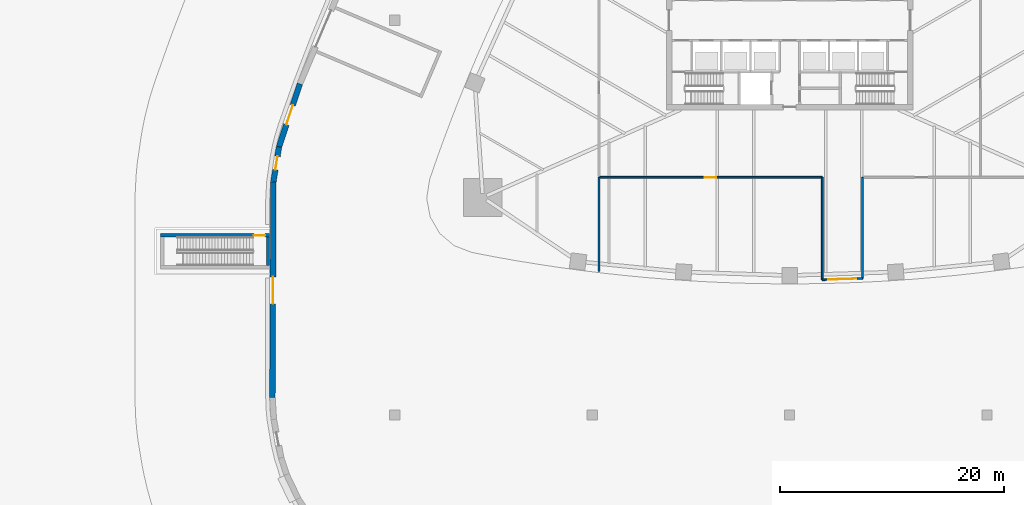
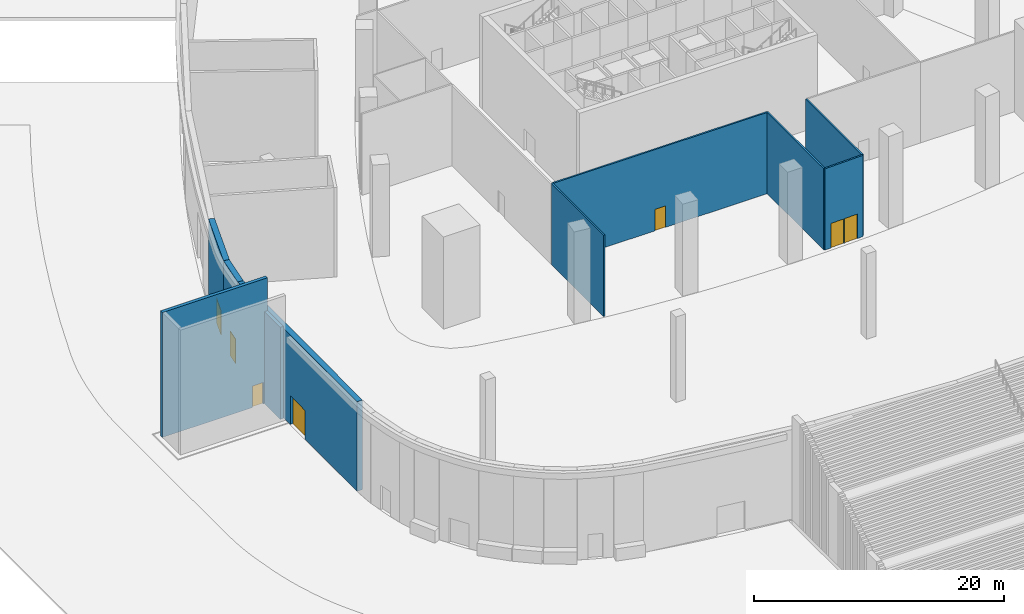
# One storey, part 6 of 29: 10 walls, 7 doors, 7 openings.
"""IFC4 building model written with IfcOpenShell, lengths in metres."""

from ifc_helpers import new_model, si_unit, direction, frame, frame_2d, origin, place, context, subcontext, project, spatial, rectangle, extrude, material, layer, layer_set, type_object, element, fill, save


model = new_model("IFC4")

# Units and contexts
model_context = context("Model", 3, precision=1e-05, world=origin(), true_north=direction((0.0, 1.0)))
body_context = subcontext(model_context, "Body", "Model", "MODEL_VIEW")
ifc_project = project(units=[si_unit("LENGTHUNIT", "METRE"), si_unit("AREAUNIT", "SQUARE_METRE"), si_unit("VOLUMEUNIT", "CUBIC_METRE"), si_unit("PLANEANGLEUNIT", "RADIAN"), si_unit("MASSUNIT", "GRAM", prefix="KILO")], contexts=[model_context])

# Site, building, storey
site_placement = place(None, origin())
site = spatial("IfcSite", under=ifc_project, at=site_placement, CompositionType="ELEMENT")
building_placement = place(site_placement, origin())
building = spatial("IfcBuilding", under=site, at=building_placement, Name="Sierra Prisma Convention Tower", CompositionType="ELEMENT")
storey_placement = place(building_placement, origin())
storey = spatial("IfcBuildingStorey", under=building, at=storey_placement, Name="L00", CompositionType="ELEMENT", Elevation=0.0)

# Wall, opening, door
ifc_material_1 = material(Name="Gypsum board partition", Category="gypsum")
ifc_layer_1 = layer(ifc_material_1, 0.14990234375)
ifc_layer_set_1 = layer_set([ifc_layer_1], Name="Corridor wall 150 gypsum EI 60")
wall_type_1 = type_object("IfcWallType", Name="Corridor wall 150 gypsum EI 60", PredefinedType="PARTITIONING", material=ifc_layer_set_1)
wall_1_placement = place(storey_placement, frame((-16.919921875, -14.0, 0.0), z_axis=(0.0, 0.0, 1.0), x_axis=(1.0, 0.0, 0.0)))
wall_1 = element("IfcWall", 1, at=wall_1_placement, inside=storey, type_object=wall_type_1, Name="Partition L00 corr 2", PredefinedType="PARTITIONING", context=body_context, shape_type="SweptSolid", body=[
    extrude(rectangle(XDim=19.81982421875, YDim=0.14990234375, at=frame_2d((9.909912109375, 0.0))), origin(), (0.0, 0.0, 1.0), 7.93994140625),
])
opening_1_placement = place(wall_1_placement, frame((9.3701171875, 0.0, 0.0)))
opening_1 = element("IfcOpeningElement", 2, at=opening_1_placement, cuts=wall_1, Name="Opening L00-D033", PredefinedType="OPENING", context=body_context, shape_type="SweptSolid", body=[
    extrude(rectangle(XDim=1.0, YDim=2.10009765625, at=frame_2d((0.5, 1.050048828125))), frame((0.0, 0.074951171875, 0.0), z_axis=(0.0, -1.0, 0.0), x_axis=(1.0, 0.0, 0.0)), (0.0, 0.0, 1.0), 0.14990234375),
])
ifc_material_2 = material(Name="Steel fire door leaf", Category="steel")
door_type_1 = type_object("IfcDoorType", Name="Door 1000x2100 FD30S", OperationType="SINGLE_SWING_LEFT", PredefinedType="DOOR", material=ifc_material_2)
door_1_placement = place(opening_1_placement, origin())
door_1 = element("IfcDoor", 3, at=door_1_placement, inside=storey, type_object=door_type_1, Name="Door L00 8", OperationType="SINGLE_SWING_RIGHT", OverallHeight=2.10009765625, OverallWidth=1.0, PredefinedType="DOOR", context=body_context, shape_type="SweptSolid", body=[
    extrude(rectangle(XDim=1.0, YDim=2.10009765625, at=frame_2d((0.5, 1.050048828125))), frame((0.0, 0.02490234375, 0.0), z_axis=(0.0, -1.0, 0.0), x_axis=(1.0, 0.0, 0.0)), (0.0, 0.0, 1.0), 0.050048828125),
])
fill(opening_1, door_1)

# Wall
wall_2_placement = place(storey_placement, frame((2.89990234375, -14.0, 0.0), z_axis=(0.0, 0.0, 1.0), x_axis=(0.0, -1.0, 0.0)))
element("IfcWall", 4, at=wall_2_placement, inside=storey, type_object=wall_type_1, Name="Partition L00 corr 3", PredefinedType="PARTITIONING", context=body_context, shape_type="SweptSolid", body=[
    extrude(rectangle(XDim=9.130615234375, YDim=0.14990234375, at=frame_2d((4.5654296875, 0.0))), origin(), (0.0, 0.0, 1.0), 7.93994140625),
])

# Wall, openings, doors
wall_3_placement = place(storey_placement, frame((6.5, -23.011474609375, 0.0), z_axis=(0.0, 0.0, 1.0), x_axis=(-0.999452852221, -0.033075613175, 0.0)))
wall_3 = element("IfcWall", 5, at=wall_3_placement, inside=storey, type_object=wall_type_1, Name="Partition L00 corr 5", PredefinedType="PARTITIONING", context=body_context, shape_type="SweptSolid", body=[
    extrude(rectangle(XDim=3.60205078125, YDim=0.14990234375, at=frame_2d((1.801025390625, 0.0))), origin(), (0.0, 0.0, 1.0), 7.93994140625),
])
opening_2_placement = place(wall_3_placement, frame((0.551025390625, 0.0, 0.0)))
opening_2 = element("IfcOpeningElement", 6, at=opening_2_placement, cuts=wall_3, Name="Opening L00-D036", PredefinedType="OPENING", context=body_context, shape_type="SweptSolid", body=[
    extrude(rectangle(XDim=1.199951171875, YDim=2.39990234375, at=frame_2d((0.60009765625, 1.199951171875))), frame((0.0, 0.074951171875, 0.0), z_axis=(0.0, -1.0, 0.0), x_axis=(1.0, 0.0, 0.0)), (0.0, 0.0, 1.0), 0.14990234375),
])
opening_3_placement = place(wall_3_placement, frame((1.850830078125, 0.0, 0.0)))
opening_3 = element("IfcOpeningElement", 7, at=opening_3_placement, cuts=wall_3, Name="Opening L00-D037", PredefinedType="OPENING", context=body_context, shape_type="SweptSolid", body=[
    extrude(rectangle(XDim=1.199951171875, YDim=2.39990234375, at=frame_2d((0.60009765625, 1.199951171875))), frame((0.0, 0.074951171875, 0.0), z_axis=(0.0, -1.0, 0.0), x_axis=(1.0, 0.0, 0.0)), (0.0, 0.0, 1.0), 0.14990234375),
])
ifc_material_3 = material(Name="Painted steel, fire resisting", Category="steel")
door_type_2 = type_object("IfcDoorType", Name="Pedestrian exit door 1200 x 2400", OperationType="SINGLE_SWING_LEFT", PredefinedType="DOOR", material=ifc_material_3)
door_2_placement = place(opening_2_placement, origin())
door_2 = element("IfcDoor", 8, at=door_2_placement, inside=storey, type_object=door_type_2, Name="Exit door of the tower lobby L00 11", OperationType="SINGLE_SWING_LEFT", OverallHeight=2.39990234375, OverallWidth=1.199951171875, PredefinedType="DOOR", context=body_context, shape_type="SweptSolid", body=[
    extrude(rectangle(XDim=1.199951171875, YDim=2.39990234375, at=frame_2d((0.60009765625, 1.199951171875))), frame((0.0, 0.02490234375, 0.0), z_axis=(0.0, -1.0, 0.0), x_axis=(1.0, 0.0, 0.0)), (0.0, 0.0, 1.0), 0.050048828125),
])
fill(opening_2, door_2)
door_3_placement = place(opening_3_placement, origin())
door_3 = element("IfcDoor", 9, at=door_3_placement, inside=storey, type_object=door_type_2, Name="Exit door of the tower lobby L00 12", OperationType="SINGLE_SWING_LEFT", OverallHeight=2.39990234375, OverallWidth=1.199951171875, PredefinedType="DOOR", context=body_context, shape_type="SweptSolid", body=[
    extrude(rectangle(XDim=1.199951171875, YDim=2.39990234375, at=frame_2d((0.60009765625, 1.199951171875))), frame((0.0, 0.02490234375, 0.0), z_axis=(0.0, -1.0, 0.0), x_axis=(1.0, 0.0, 0.0)), (0.0, 0.0, 1.0), 0.050048828125),
])
fill(opening_3, door_3)

# Wall
wall_4_placement = place(storey_placement, frame((6.5, -22.991455078125, 0.0), z_axis=(0.0, 0.0, 1.0), x_axis=(0.0, 1.0, 0.0)))
element("IfcWall", 10, at=wall_4_placement, inside=storey, type_object=wall_type_1, Name="Partition L00 corr 8", PredefinedType="PARTITIONING", context=body_context, shape_type="SweptSolid", body=[
    extrude(rectangle(XDim=8.991455078125, YDim=0.14990234375, at=frame_2d((4.49560546875, 0.0))), origin(), (0.0, 0.0, 1.0), 7.93994140625),
])

# Wall, opening, door
ifc_material_4 = material(Name="Concrete C35/45", Category="concrete")
ifc_layer_2 = layer(ifc_material_4, 0.300048828125)
ifc_layer_set_2 = layer_set([ifc_layer_2], Name="Exit stair enclosure wall 300")
wall_type_2 = type_object("IfcWallType", Name="Exit stair enclosure wall 300", PredefinedType="STANDARD", material=ifc_layer_set_2)
wall_5_placement = place(storey_placement, frame((-56.07470703125, -19.175048828125, 0.0), z_axis=(0.0, 0.0, 1.0), x_axis=(1.0, 0.0, 0.0)))
wall_5 = element("IfcWall", 11, at=wall_5_placement, inside=storey, type_object=wall_type_2, Name="Exit stair west north wall", PredefinedType="STANDARD", context=body_context, shape_type="SweptSolid", body=[
    extrude(rectangle(XDim=9.72021484375, YDim=0.300048828125, at=frame_2d((4.860107421875, 0.0))), origin(), (0.0, 0.0, 1.0), 12.199951171875),
])
opening_4_placement = place(wall_5_placement, frame((8.320068359375, 0.0, 0.0)))
opening_4 = element("IfcOpeningElement", 12, at=opening_4_placement, cuts=wall_5, Name="Opening L00-D045", PredefinedType="OPENING", context=body_context, shape_type="SweptSolid", body=[
    extrude(rectangle(XDim=1.0, YDim=2.10009765625, at=frame_2d((0.5, 1.050048828125))), frame((0.0, 0.14990234375, 0.0), z_axis=(0.0, -1.0, 0.0), x_axis=(1.0, 0.0, 0.0)), (0.0, 0.0, 1.0), 0.300048828125),
])
ifc_material_5 = material(Name="Painted steel, fire resisting", Category="steel")
door_type_3 = type_object("IfcDoorType", Name="Exit stair door 1000 x 2100 FD90S", OperationType="SINGLE_SWING_LEFT", PredefinedType="DOOR", material=ifc_material_5)
door_4_placement = place(opening_4_placement, origin())
door_4 = element("IfcDoor", 13, at=door_4_placement, inside=storey, type_object=door_type_3, Name="Pedestrian exit door of the west exit stair", OperationType="SINGLE_SWING_LEFT", OverallHeight=2.10009765625, OverallWidth=1.0, PredefinedType="DOOR", context=body_context, shape_type="SweptSolid", body=[
    extrude(rectangle(XDim=1.0, YDim=2.10009765625, at=frame_2d((0.5, 1.050048828125))), frame((0.0, 0.02490234375, 0.0), z_axis=(0.0, -1.0, 0.0), x_axis=(1.0, 0.0, 0.0)), (0.0, 0.0, 1.0), 0.050048828125),
])
fill(opening_4, door_4)

# Wall
wall_6_placement = place(storey_placement, frame((-46.504638671875, -21.875, 0.0), z_axis=(0.0, 0.0, 1.0), x_axis=(0.0, 1.0, 0.0)))
element("IfcWall", 14, at=wall_6_placement, inside=storey, type_object=wall_type_2, Name="Exit stair west near wall below the deck", PredefinedType="STANDARD", context=body_context, shape_type="SweptSolid", body=[
    extrude(rectangle(XDim=2.550048828125, YDim=0.300048828125, at=frame_2d((1.27490234375, 0.0))), origin(), (0.0, 0.0, 1.0), 9.0),
])

# Wall, opening, door
ifc_material_6 = material(Name="Concrete C40/50, ochre plaster finish", Category="concrete")
ifc_layer_3 = layer(ifc_material_6, 0.5)
ifc_layer_set_3 = layer_set([ifc_layer_3], Name="Ochre plastered wall 500")
wall_type_3 = type_object("IfcWallType", Name="Ochre plastered wall 500", PredefinedType="STANDARD", material=ifc_layer_set_3)
wall_7_placement = place(storey_placement, frame((-46.01708984375, -14.404296875, 0.0), z_axis=(0.0, 0.0, 1.0), x_axis=(0.158065865137, 0.987428570722, 0.0)))
wall_7 = element("IfcWall", 15, at=wall_7_placement, inside=storey, type_object=wall_type_3, Name="Plinth wall 46", PredefinedType="STANDARD", context=body_context, shape_type="SweptSolid", body=[
    extrude(rectangle(XDim=3.15869140625, YDim=0.5, at=frame_2d((1.579345703125, 0.0))), origin(), (0.0, 0.0, 1.0), 8.75),
])
opening_5_placement = place(wall_7_placement, frame((1.10009765625, 0.0, 0.0)))
opening_5 = element("IfcOpeningElement", 16, at=opening_5_placement, cuts=wall_7, Name="Opening L00-D064", PredefinedType="OPENING", context=body_context, shape_type="SweptSolid", body=[
    extrude(rectangle(XDim=1.199951171875, YDim=2.39990234375, at=frame_2d((0.60009765625, 1.199951171875))), frame((0.0, 0.25, 0.0), z_axis=(0.0, -1.0, 0.0), x_axis=(1.0, 0.0, 0.0)), (0.0, 0.0, 1.0), 0.5),
])
door_5_placement = place(opening_5_placement, origin())
door_5 = element("IfcDoor", 17, at=door_5_placement, inside=storey, type_object=door_type_2, Name="Pedestrian exit door", OperationType="SINGLE_SWING_RIGHT", OverallHeight=2.39990234375, OverallWidth=1.199951171875, PredefinedType="DOOR", context=body_context, shape_type="SweptSolid", body=[
    extrude(rectangle(XDim=1.199951171875, YDim=2.39990234375, at=frame_2d((0.60009765625, 1.199951171875))), frame((0.0, 0.02490234375, 0.0), z_axis=(0.0, -1.0, 0.0), x_axis=(1.0, 0.0, 0.0)), (0.0, 0.0, 1.0), 0.050048828125),
])
fill(opening_5, door_5)

# Wall
ifc_material_7 = material(Name="Gypsum board partition", Category="gypsum")
ifc_layer_4 = layer(ifc_material_7, 0.14990234375)
ifc_layer_set_4 = layer_set([ifc_layer_4], Name="Party wall 150 gypsum")
wall_type_4 = type_object("IfcWallType", Name="Party wall 150 gypsum", PredefinedType="PARTITIONING", material=ifc_layer_set_4)
wall_8_placement = place(storey_placement, frame((-17.0, -14.0, 0.0), z_axis=(0.0, 0.0, 1.0), x_axis=(0.0, -1.0, 0.0)))
element("IfcWall", 18, at=wall_8_placement, inside=storey, type_object=wall_type_4, Name="Partition L00 party 3", PredefinedType="PARTITIONING", context=body_context, shape_type="SweptSolid", body=[
    extrude(rectangle(XDim=8.37451171875, YDim=0.14990234375, at=frame_2d((4.187255859375, 0.0))), origin(), (0.0, 0.0, 1.0), 7.93994140625),
])

# Wall, opening, door
ifc_material_8 = material(Name="Concrete C40/50, rose plaster finish", Category="concrete")
ifc_layer_5 = layer(ifc_material_8, 0.5)
ifc_layer_set_5 = layer_set([ifc_layer_5], Name="Rose plastered wall 500")
wall_type_5 = type_object("IfcWallType", Name="Rose plastered wall 500", PredefinedType="STANDARD", material=ifc_layer_set_5)
wall_9_placement = place(storey_placement, frame((-45.517822265625, -11.285400390625, 0.0), z_axis=(0.0, 0.0, 1.0), x_axis=(0.314186061752, 0.94936142675, 0.0)))
wall_9 = element("IfcWall", 19, at=wall_9_placement, inside=storey, type_object=wall_type_5, Name="Plinth wall 45", PredefinedType="STANDARD", context=body_context, shape_type="SweptSolid", body=[
    extrude(rectangle(XDim=5.921142578125, YDim=0.5, at=frame_2d((2.96044921875, 0.0))), origin(), (0.0, 0.0, 1.0), 8.75),
])
opening_6_placement = place(wall_9_placement, frame((2.10009765625, 0.0, 0.0)))
opening_6 = element("IfcOpeningElement", 20, at=opening_6_placement, cuts=wall_9, Name="Opening L00-D053", PredefinedType="OPENING", context=body_context, shape_type="SweptSolid", body=[
    extrude(rectangle(XDim=1.800048828125, YDim=2.39990234375, at=frame_2d((0.89990234375, 1.199951171875))), frame((0.0, 0.25, 0.0), z_axis=(0.0, -1.0, 0.0), x_axis=(1.0, 0.0, 0.0)), (0.0, 0.0, 1.0), 0.5),
])
ifc_material_9 = material(Name="Painted steel, fire resisting", Category="steel")
door_type_4 = type_object("IfcDoorType", Name="Exit door double 1800 x 2400", OperationType="DOUBLE_DOOR_SINGLE_SWING", PredefinedType="DOOR", material=ifc_material_9)
door_6_placement = place(opening_6_placement, origin())
door_6 = element("IfcDoor", 21, at=door_6_placement, inside=storey, type_object=door_type_4, Name="Pedestrian exit door", OperationType="DOUBLE_DOOR_SINGLE_SWING", OverallHeight=2.39990234375, OverallWidth=1.800048828125, PredefinedType="DOOR", context=body_context, shape_type="SweptSolid", body=[
    extrude(rectangle(XDim=1.800048828125, YDim=2.39990234375, at=frame_2d((0.89990234375, 1.199951171875))), frame((0.0, 0.02490234375, 0.0), z_axis=(0.0, -1.0, 0.0), x_axis=(1.0, 0.0, 0.0)), (0.0, 0.0, 1.0), 0.050048828125),
])
fill(opening_6, door_6)

wall_10_placement = place(storey_placement, frame((-46.1044921875, -33.62744140625, 0.0), z_axis=(0.0, 0.0, 1.0), x_axis=(0.004546677584, 0.999989663808, 0.0)))
wall_10 = element("IfcWall", 22, at=wall_10_placement, inside=storey, type_object=wall_type_5, Name="Plinth wall 47", PredefinedType="STANDARD", context=body_context, shape_type="SweptSolid", body=[
    extrude(rectangle(XDim=19.223388671875, YDim=0.5, at=frame_2d((9.61181640625, 0.0))), origin(), (0.0, 0.0, 1.0), 8.75),
])
opening_7_placement = place(wall_10_placement, frame((8.35009765625, 0.0, 0.0)))
opening_7 = element("IfcOpeningElement", 23, at=opening_7_placement, cuts=wall_10, Name="Opening L00-D044", PredefinedType="OPENING", context=body_context, shape_type="SweptSolid", body=[
    extrude(rectangle(XDim=2.39990234375, YDim=2.800048828125, at=frame_2d((1.199951171875, 1.39990234375))), frame((0.0, 0.25, 0.0), z_axis=(0.0, -1.0, 0.0), x_axis=(1.0, 0.0, 0.0)), (0.0, 0.0, 1.0), 0.5),
])
ifc_material_10 = material(Name="Glass and bronze aluminium", Category="aluminium")
door_type_5 = type_object("IfcDoorType", Name="Entrance door double 2400 x 2800", OperationType="DOUBLE_DOOR_SINGLE_SWING", PredefinedType="DOOR", material=ifc_material_10)
door_7_placement = place(opening_7_placement, origin())
door_7 = element("IfcDoor", 24, at=door_7_placement, inside=storey, type_object=door_type_5, Name="Pedestrian exit door at the entrance", OperationType="DOUBLE_DOOR_SINGLE_SWING", OverallHeight=2.800048828125, OverallWidth=2.39990234375, PredefinedType="DOOR", context=body_context, shape_type="SweptSolid", body=[
    extrude(rectangle(XDim=2.39990234375, YDim=2.800048828125, at=frame_2d((1.199951171875, 1.39990234375))), frame((0.0, 0.02490234375, 0.0), z_axis=(0.0, -1.0, 0.0), x_axis=(1.0, 0.0, 0.0)), (0.0, 0.0, 1.0), 0.050048828125),
])
fill(opening_7, door_7)

save(model, "model.ifc")
